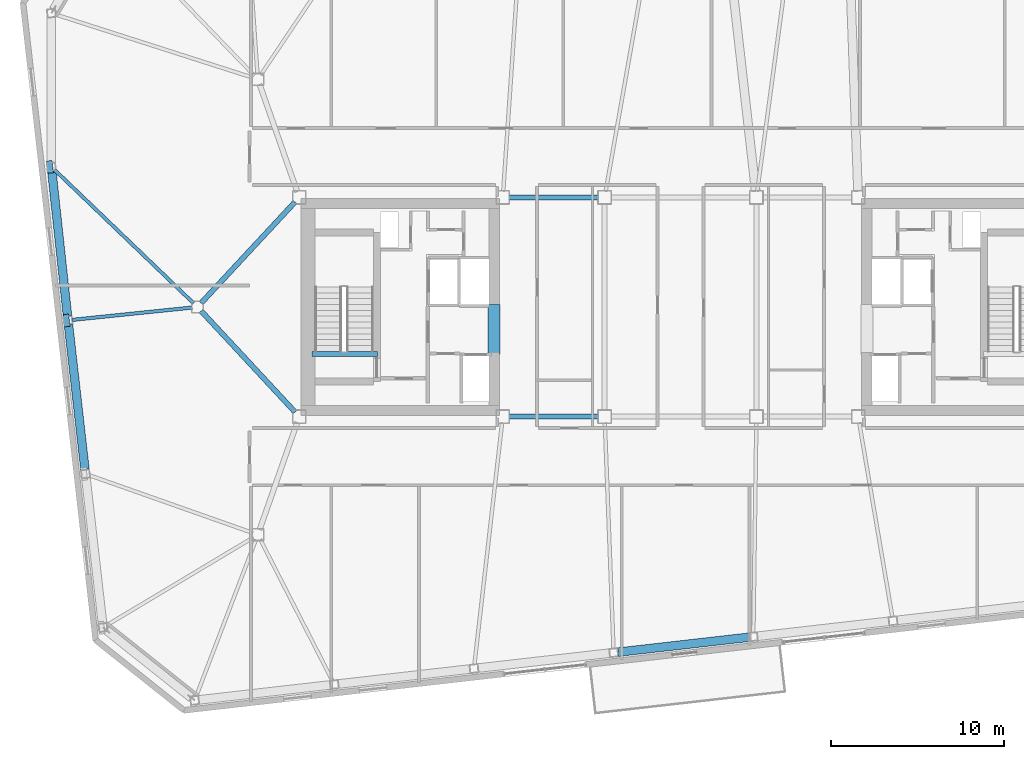
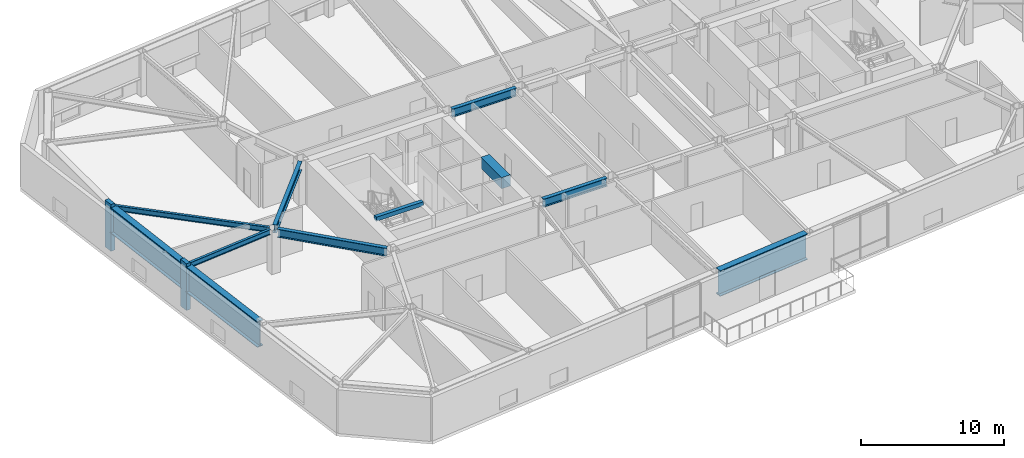
# One storey, part 5 of 20: 11 beams, 2 members.
"""IFC4 building model written with IfcOpenShell, lengths in metres."""

from ifc_helpers import new_model, si_unit, direction, frame, origin, origin_2d, place, context, subcontext, project, spatial, rectangle, i_section, extrude, material, material_profile, profile_set, type_object, element, save


model = new_model("IFC4")

# Units and contexts
model_context = context("Model", 3, precision=1e-05, world=origin(), true_north=direction((0.0, 1.0)))
body_context = subcontext(model_context, "Body", "Model", "MODEL_VIEW")
ifc_project = project(units=[si_unit("LENGTHUNIT", "METRE"), si_unit("AREAUNIT", "SQUARE_METRE"), si_unit("VOLUMEUNIT", "CUBIC_METRE"), si_unit("PLANEANGLEUNIT", "RADIAN"), si_unit("MASSUNIT", "GRAM", prefix="KILO")], contexts=[model_context])

# Site, building, storey
site_placement = place(None, origin())
site = spatial("IfcSite", under=ifc_project, at=site_placement, CompositionType="ELEMENT")
building_placement = place(site_placement, origin())
building = spatial("IfcBuilding", under=site, at=building_placement, Name="Tavrogorsk Clinical Tower", CompositionType="ELEMENT")
storey_placement = place(building_placement, frame((0.0, 0.0, 234.199951171875)))
storey = spatial("IfcBuildingStorey", under=building, at=storey_placement, Name="L54", CompositionType="ELEMENT", Elevation=234.199951171875)

# Beams
ifc_material_1 = material(Name="Concrete B80", Category="concrete")
ifc_material_profile_1 = material_profile(ifc_material_1, rectangle(XDim=0.699951171875, YDim=0.949951171875, at=origin_2d()), Name="RC-CB-700x950")
ifc_profile_set_1 = profile_set([ifc_material_profile_1], Name="Concrete B80")
beam_type_1 = type_object("IfcBeamType", Name="CouplingBeam_RC700x950", PredefinedType="LINTEL", material=ifc_profile_set_1)
beam_1_placement = place(storey_placement, frame((-10.800048828125, -2.75, 3.26513671875), z_axis=(0.0, 1.0, 0.0), x_axis=(-1.0, 0.0, 0.0)))
element("IfcBeam", 1, at=beam_1_placement, inside=storey, type_object=beam_type_1, Name="L54 Core West Coupling Beam", PredefinedType="LINTEL", context=body_context, shape_type="SweptSolid", body=[
    extrude(rectangle(XDim=0.699951171875, YDim=0.949951171875, at=origin_2d()), origin(), (0.0, 0.0, 1.0), 2.89990234375),
])
ifc_material_2 = material(Name="Structural steel S355", Category="steel")
ifc_material_profile_2 = material_profile(ifc_material_2, i_section(OverallWidth=0.199951171875, OverallDepth=0.449951171875, WebThickness=0.011474609375, FlangeThickness=0.01806640625, at=origin_2d()), Name="B-450x200x11.5x18")
ifc_profile_set_2 = profile_set([ifc_material_profile_2], Name="Structural steel S355")
beam_type_2 = type_object("IfcBeamType", Name="FloorBeam_B450", PredefinedType="BEAM", material=ifc_profile_set_2)
beam_2_placement = place(storey_placement, frame((-28.2236328125, 0.214599609375, 3.51513671875), z_axis=(-0.721413519982, 0.692504536582, 0.0), x_axis=(-0.692504536582, -0.721413519982, 0.0)))
element("IfcBeam", 2, at=beam_2_placement, inside=storey, type_object=beam_type_2, Name="L54 Radial Floor Beam W2", PredefinedType="BEAM", context=body_context, shape_type="SweptSolid", body=[
    extrude(i_section(OverallWidth=0.199951171875, OverallDepth=0.449951171875, WebThickness=0.011474609375, FlangeThickness=0.01806640625, at=origin_2d()), origin(), (0.0, 0.0, 1.0), 11.1728515625),
])
beam_3_placement = place(storey_placement, frame((-28.308349609375, -0.03173828125, 3.51513671875), z_axis=(-0.994752624307, -0.102309415177, 0.0), x_axis=(0.102309415177, -0.994752624307, 0.0)))
element("IfcBeam", 3, at=beam_3_placement, inside=storey, type_object=beam_type_2, Name="L54 Radial Floor Beam W3", PredefinedType="BEAM", context=body_context, shape_type="SweptSolid", body=[
    extrude(i_section(OverallWidth=0.199951171875, OverallDepth=0.449951171875, WebThickness=0.011474609375, FlangeThickness=0.01806640625, at=origin_2d()), origin(), (0.0, 0.0, 1.0), 6.9775390625),
])

# Members
ifc_material_3 = material(Name="Precast concrete B45 with limestone cladding", Category="masonry")
ifc_material_profile_3 = material_profile(ifc_material_3, rectangle(XDim=0.320068359375, YDim=0.719970703125, at=origin_2d()), Name="LIMESTONE-FIN-320x720")
ifc_profile_set_3 = profile_set([ifc_material_profile_3], Name="Precast concrete B45 with limestone cladding")
member_type = type_object("IfcMemberType", Name="LimestonePleatFin_320x720", PredefinedType="USERDEFINED", material=ifc_profile_set_3)
for number, where, z_axis, x_axis, name in (
    (4, (-36.549560546875, 8.121337890625, 0.0), (0.0, 0.0, 1.0), (0.993571855677, 0.113203213768, 0.0), "L54 W Pleated Stone Fin 1"),
    (5, (-35.585205078125, -0.781005859375, 0.0), (0.0, 0.0, 1.0), (0.993571855677, 0.113203213768, 0.0), "L54 W Pleated Stone Fin 2"),
):
    element("IfcMember", number, at=place(storey_placement, frame(where, z_axis=z_axis, x_axis=x_axis)), inside=storey, type_object=member_type, Name=name, ObjectType="FIN", PredefinedType="USERDEFINED", context=body_context, shape_type="SweptSolid", body=[
        extrude(rectangle(XDim=0.320068359375, YDim=0.719970703125, at=origin_2d()), origin(), (0.0, 0.0, 1.0), 4.0),
    ])

# Beams
ifc_material_4 = material(Name="Structural steel S390", Category="steel")
ifc_material_profile_4 = material_profile(ifc_material_4, i_section(OverallWidth=0.300048828125, OverallDepth=0.699951171875, WebThickness=0.01708984375, FlangeThickness=0.028076171875, at=origin_2d()), Name="B-700x300x17x28")
ifc_profile_set_4 = profile_set([ifc_material_profile_4], Name="Structural steel S390")
beam_type_3 = type_object("IfcBeamType", Name="PrimaryGirder_B700", PredefinedType="USERDEFINED", material=ifc_profile_set_4)
for number, where, z_axis, x_axis, name in (
    (6, (-9.93994140625, -6.35009765625, 3.39013671875), (1.0, 0.0, 0.0), (0.0, 1.0, 0.0), "L54 Primary Spine Girder MG-01"),
    (7, (-9.93994140625, 6.35009765625, 3.39013671875), (1.0, 0.0, 0.0), (0.0, 1.0, 0.0), "L54 Primary Spine Girder MG-02"),
):
    element("IfcBeam", number, at=place(storey_placement, frame(where, z_axis=z_axis, x_axis=x_axis)), inside=storey, type_object=beam_type_3, Name=name, ObjectType="GIRDER", PredefinedType="USERDEFINED", context=body_context, shape_type="SweptSolid", body=[
        extrude(i_section(OverallWidth=0.300048828125, OverallDepth=0.699951171875, WebThickness=0.01708984375, FlangeThickness=0.028076171875, at=origin_2d()), origin(), (0.0, 0.0, 1.0), 5.179931640625),
    ])
for number, where, z_axis, x_axis, name in (
    (8, (-27.7890625, -0.22705078125, 3.39013671875), (0.680684060959, -0.732577101168, 0.0), (0.732577101168, 0.680684060959, 0.0), "L54 Spine Link Girder OPG-5"),
    (9, (-27.7890625, 0.22705078125, 3.39013671875), (0.680684060959, 0.732577101168, 0.0), (-0.732577101168, 0.680684060959, 0.0), "L54 Spine Link Girder OPG-6"),
):
    element("IfcBeam", number, at=place(storey_placement, frame(where, z_axis=z_axis, x_axis=x_axis)), inside=storey, type_object=beam_type_3, Name=name, ObjectType="GIRDER", PredefinedType="USERDEFINED", context=body_context, shape_type="SweptSolid", body=[
        extrude(i_section(OverallWidth=0.300048828125, OverallDepth=0.699951171875, WebThickness=0.01708984375, FlangeThickness=0.028076171875, at=origin_2d()), origin(), (0.0, 0.0, 1.0), 7.998046875),
    ])
ifc_material_5 = material(Name="Concrete B60", Category="concrete")
ifc_material_profile_5 = material_profile(ifc_material_5, rectangle(XDim=0.300048828125, YDim=0.35009765625, at=origin_2d()), Name="RC-SHB-300x350")
ifc_profile_set_5 = profile_set([ifc_material_profile_5], Name="Concrete B60")
beam_type_4 = type_object("IfcBeamType", Name="StairHeaderBeam_RC300x350", PredefinedType="BEAM", material=ifc_profile_set_5)
beam_4_placement = place(storey_placement, frame((-21.35009765625, -2.719970703125, 3.824951171875), z_axis=(1.0, 0.0, 0.0), x_axis=(0.0, 1.0, 0.0)))
element("IfcBeam", 10, at=beam_4_placement, inside=storey, type_object=beam_type_4, Name="L55 ST-W Landing Header Beam", PredefinedType="BEAM", context=body_context, shape_type="SweptSolid", body=[
    extrude(rectangle(XDim=0.300048828125, YDim=0.35009765625, at=origin_2d()), origin(), (0.0, 0.0, 1.0), 3.800048828125),
])
ifc_material_6 = material(Name="Structural steel S440", Category="steel")
ifc_material_profile_6 = material_profile(ifc_material_6, i_section(OverallWidth=0.5, OverallDepth=2.199951171875, WebThickness=0.035888671875, FlangeThickness=0.054931640625, at=origin_2d()), Name="DK-2200x500x36x55")
ifc_profile_set_6 = profile_set([ifc_material_profile_6], Name="Structural steel S440")
beam_type_5 = type_object("IfcBeamType", Name="TransferGirder_DK2200", PredefinedType="USERDEFINED", material=ifc_profile_set_6)
beam_5_placement = place(storey_placement, frame((-3.619873046875, -20.006103515625, 2.64013671875), z_axis=(0.993568911788, 0.113229048956, 0.0), x_axis=(-0.113229048956, 0.993568911788, 0.0)))
element("IfcBeam", 11, at=beam_5_placement, inside=storey, type_object=beam_type_5, Name="L54 Perimeter Spandrel S4-S5", ObjectType="GIRDER", PredefinedType="USERDEFINED", context=body_context, shape_type="SweptSolid", body=[
    extrude(i_section(OverallWidth=0.5, OverallDepth=2.199951171875, WebThickness=0.035888671875, FlangeThickness=0.054931640625, at=origin_2d()), origin(), (0.0, 0.0, 1.0), 7.6328125),
])
beam_6_placement = place(storey_placement, frame((-36.442138671875, 7.8740234375, 2.64013671875), z_axis=(0.107655746314, -0.994188231818, 0.0), x_axis=(0.994188231818, 0.107655746314, 0.0)))
element("IfcBeam", 12, at=beam_6_placement, inside=storey, type_object=beam_type_5, Name="L54 Perimeter Spandrel W2-W3", ObjectType="GIRDER", PredefinedType="USERDEFINED", context=body_context, shape_type="SweptSolid", body=[
    extrude(i_section(OverallWidth=0.5, OverallDepth=2.199951171875, WebThickness=0.035888671875, FlangeThickness=0.054931640625, at=origin_2d()), origin(), (0.0, 0.0, 1.0), 8.4384765625),
])
beam_7_placement = place(storey_placement, frame((-35.4765625, -1.0283203125, 2.64013671875), z_axis=(0.113195129234, -0.99357277676, 0.0), x_axis=(0.99357277676, 0.113195129234, 0.0)))
element("IfcBeam", 13, at=beam_7_placement, inside=storey, type_object=beam_type_5, Name="L54 Perimeter Spandrel W3-W4", ObjectType="GIRDER", PredefinedType="USERDEFINED", context=body_context, shape_type="SweptSolid", body=[
    extrude(i_section(OverallWidth=0.5, OverallDepth=2.199951171875, WebThickness=0.035888671875, FlangeThickness=0.054931640625, at=origin_2d()), origin(), (0.0, 0.0, 1.0), 8.44384765625),
])

save(model, "model.ifc")
